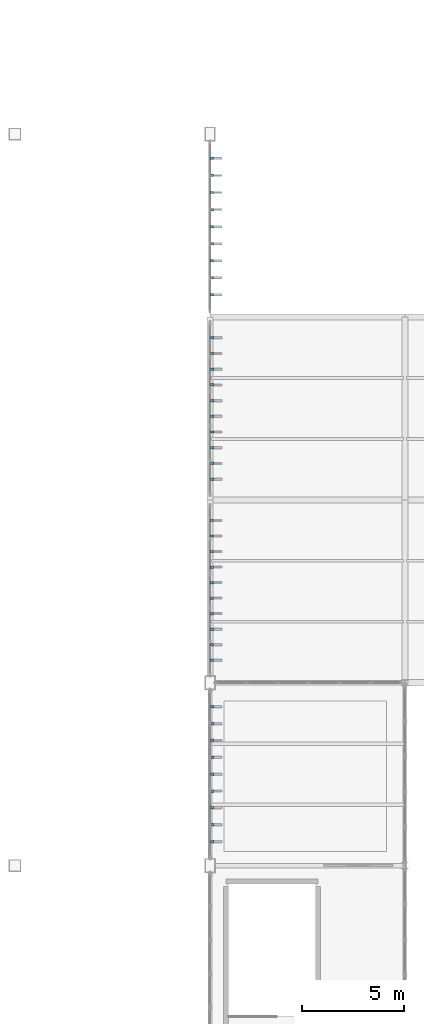
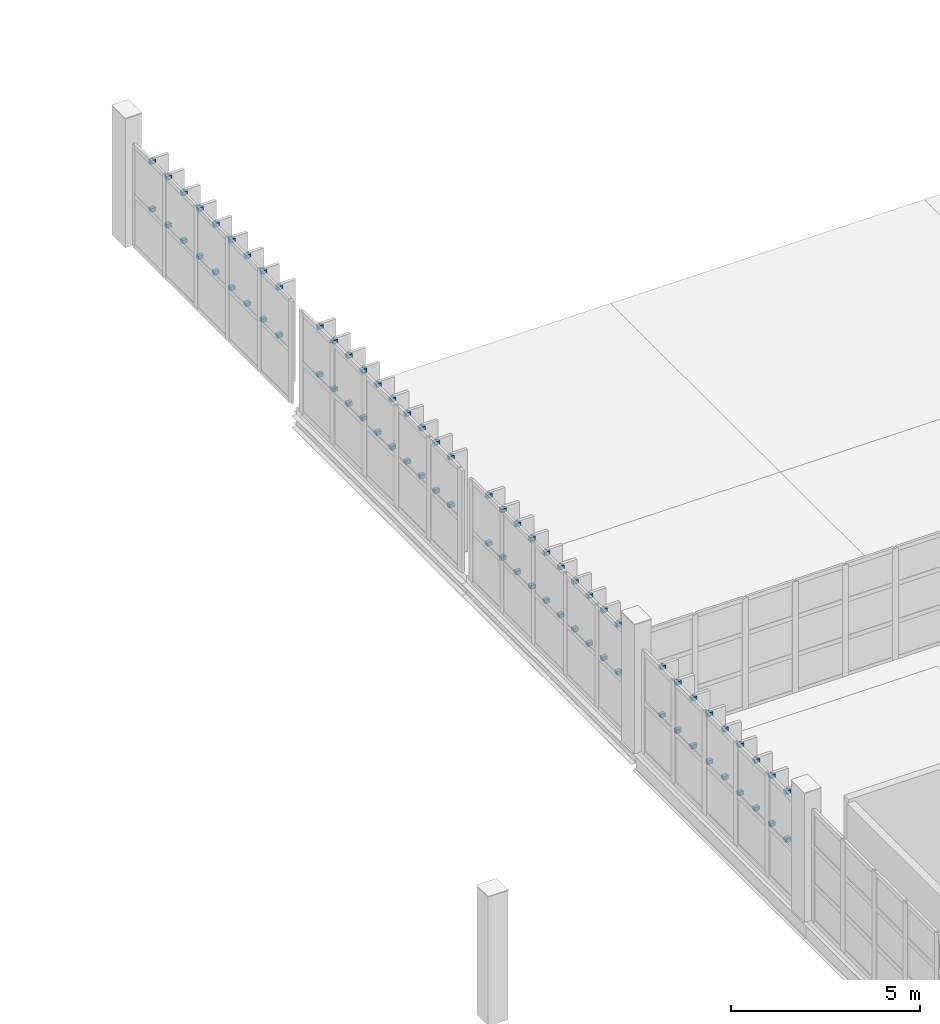
# One storey, part 75 of 82: 76 discrete accessories.
"""IFC4 building model written with IfcOpenShell, lengths in metres."""

from ifc_helpers import new_model, si_unit, direction, frame, origin, origin_2d, place, context, subcontext, project, spatial, rectangle, extrude, material, type_object, element, save


model = new_model("IFC4")

# Units and contexts
model_context = context("Model", 3, precision=1e-05, world=origin(), true_north=direction((0.0, 1.0)))
body_context = subcontext(model_context, "Body", "Model", "MODEL_VIEW")
ifc_project = project(units=[si_unit("LENGTHUNIT", "METRE"), si_unit("AREAUNIT", "SQUARE_METRE"), si_unit("VOLUMEUNIT", "CUBIC_METRE"), si_unit("PLANEANGLEUNIT", "RADIAN"), si_unit("MASSUNIT", "GRAM", prefix="KILO")], contexts=[model_context])

# Site, building, storey
site_placement = place(None, origin())
site = spatial("IfcSite", under=ifc_project, at=site_placement, CompositionType="ELEMENT")
building_placement = place(site_placement, origin())
building = spatial("IfcBuilding", under=site, at=building_placement, Name="Zarnetskaya Central Station", CompositionType="ELEMENT")
storey_placement = place(building_placement, frame((0.0, 0.0, 10.199951171875)))
storey = spatial("IfcBuildingStorey", under=building, at=storey_placement, Name="L02", CompositionType="ELEMENT", Elevation=10.199951171875)

# Discrete accessories
ifc_material = material(Name="Steel S355", Category="steel")
discrete_accessory_type = type_object("IfcDiscreteAccessoryType", Name="ACC-FIN-BRACKET", PredefinedType="BRACKET", material=ifc_material)
for number, where, z_axis, x_axis, name in (
    (1, (124.909912109375, 30.02001953125, 1.590087890625), (0.0, 0.0, 1.0), (0.0, -1.0, 0.0), "Timber blade lower fixing bracket CW-L02-090-01"),
    (2, (124.909912109375, 30.02001953125, 3.139892578125), (0.0, 0.0, 1.0), (0.0, -1.0, 0.0), "Timber blade upper fixing bracket CW-L02-090-01"),
    (3, (124.909912109375, 29.18994140625, 1.590087890625), (0.0, 0.0, 1.0), (0.0, -1.0, 0.0), "Timber blade lower fixing bracket CW-L02-090-02"),
    (4, (124.909912109375, 29.18994140625, 3.139892578125), (0.0, 0.0, 1.0), (0.0, -1.0, 0.0), "Timber blade upper fixing bracket CW-L02-090-02"),
    (5, (124.909912109375, 28.360107421875, 1.590087890625), (0.0, 0.0, 1.0), (0.0, -1.0, 0.0), "Timber blade lower fixing bracket CW-L02-090-03"),
    (6, (124.909912109375, 28.360107421875, 3.139892578125), (0.0, 0.0, 1.0), (0.0, -1.0, 0.0), "Timber blade upper fixing bracket CW-L02-090-03"),
    (7, (124.909912109375, 27.530029296875, 1.590087890625), (0.0, 0.0, 1.0), (0.0, -1.0, 0.0), "Timber blade lower fixing bracket CW-L02-090-04"),
    (8, (124.909912109375, 27.530029296875, 3.139892578125), (0.0, 0.0, 1.0), (0.0, -1.0, 0.0), "Timber blade upper fixing bracket CW-L02-090-04"),
    (9, (124.909912109375, 26.699951171875, 1.590087890625), (0.0, 0.0, 1.0), (0.0, -1.0, 0.0), "Timber blade lower fixing bracket CW-L02-090-05"),
    (10, (124.909912109375, 26.699951171875, 3.139892578125), (0.0, 0.0, 1.0), (0.0, -1.0, 0.0), "Timber blade upper fixing bracket CW-L02-090-05"),
    (11, (124.909912109375, 25.8701171875, 1.590087890625), (0.0, 0.0, 1.0), (0.0, -1.0, 0.0), "Timber blade lower fixing bracket CW-L02-090-06"),
    (12, (124.909912109375, 25.8701171875, 3.139892578125), (0.0, 0.0, 1.0), (0.0, -1.0, 0.0), "Timber blade upper fixing bracket CW-L02-090-06"),
    (13, (124.909912109375, 25.0400390625, 1.590087890625), (0.0, 0.0, 1.0), (0.0, -1.0, 0.0), "Timber blade lower fixing bracket CW-L02-090-07"),
    (14, (124.909912109375, 25.0400390625, 3.139892578125), (0.0, 0.0, 1.0), (0.0, -1.0, 0.0), "Timber blade upper fixing bracket CW-L02-090-07"),
    (15, (124.909912109375, 24.2099609375, 1.590087890625), (0.0, 0.0, 1.0), (0.0, -1.0, 0.0), "Timber blade lower fixing bracket CW-L02-090-08"),
    (16, (124.909912109375, 24.2099609375, 3.139892578125), (0.0, 0.0, 1.0), (0.0, -1.0, 0.0), "Timber blade upper fixing bracket CW-L02-090-08"),
    (17, (124.909912109375, 23.3798828125, 1.590087890625), (0.0, 0.0, 1.0), (0.0, -1.0, 0.0), "Timber blade lower fixing bracket CW-L02-090-09"),
    (18, (124.909912109375, 23.3798828125, 3.139892578125), (0.0, 0.0, 1.0), (0.0, -1.0, 0.0), "Timber blade upper fixing bracket CW-L02-090-09"),
    (19, (124.889892578125, 39.186279296875, 1.590087890625), (0.0, 0.0, 1.0), (0.0, -1.0, 0.0), "Timber blade lower fixing bracket CW-L02-093-01"),
    (20, (124.889892578125, 39.186279296875, 3.139892578125), (0.0, 0.0, 1.0), (0.0, -1.0, 0.0), "Timber blade upper fixing bracket CW-L02-093-01"),
    (21, (124.889892578125, 38.422607421875, 1.590087890625), (0.0, 0.0, 1.0), (0.0, -1.0, 0.0), "Timber blade lower fixing bracket CW-L02-093-02"),
    (22, (124.889892578125, 38.422607421875, 3.139892578125), (0.0, 0.0, 1.0), (0.0, -1.0, 0.0), "Timber blade upper fixing bracket CW-L02-093-02"),
    (23, (124.889892578125, 37.6591796875, 1.590087890625), (0.0, 0.0, 1.0), (0.0, -1.0, 0.0), "Timber blade lower fixing bracket CW-L02-093-03"),
    (24, (124.889892578125, 37.6591796875, 3.139892578125), (0.0, 0.0, 1.0), (0.0, -1.0, 0.0), "Timber blade upper fixing bracket CW-L02-093-03"),
    (25, (124.889892578125, 36.8955078125, 1.590087890625), (0.0, 0.0, 1.0), (0.0, -1.0, 0.0), "Timber blade lower fixing bracket CW-L02-093-04"),
    (26, (124.889892578125, 36.8955078125, 3.139892578125), (0.0, 0.0, 1.0), (0.0, -1.0, 0.0), "Timber blade upper fixing bracket CW-L02-093-04"),
    (27, (124.889892578125, 36.1318359375, 1.590087890625), (0.0, 0.0, 1.0), (0.0, -1.0, 0.0), "Timber blade lower fixing bracket CW-L02-093-05"),
    (28, (124.889892578125, 36.1318359375, 3.139892578125), (0.0, 0.0, 1.0), (0.0, -1.0, 0.0), "Timber blade upper fixing bracket CW-L02-093-05"),
    (29, (124.889892578125, 35.3681640625, 1.590087890625), (0.0, 0.0, 1.0), (0.0, -1.0, 0.0), "Timber blade lower fixing bracket CW-L02-093-06"),
    (30, (124.889892578125, 35.3681640625, 3.139892578125), (0.0, 0.0, 1.0), (0.0, -1.0, 0.0), "Timber blade upper fixing bracket CW-L02-093-06"),
    (31, (124.889892578125, 34.6044921875, 1.590087890625), (0.0, 0.0, 1.0), (0.0, -1.0, 0.0), "Timber blade lower fixing bracket CW-L02-093-07"),
    (32, (124.889892578125, 34.6044921875, 3.139892578125), (0.0, 0.0, 1.0), (0.0, -1.0, 0.0), "Timber blade upper fixing bracket CW-L02-093-07"),
    (33, (124.889892578125, 33.8408203125, 1.590087890625), (0.0, 0.0, 1.0), (0.0, -1.0, 0.0), "Timber blade lower fixing bracket CW-L02-093-08"),
    (34, (124.889892578125, 33.8408203125, 3.139892578125), (0.0, 0.0, 1.0), (0.0, -1.0, 0.0), "Timber blade upper fixing bracket CW-L02-093-08"),
    (35, (124.889892578125, 33.077392578125, 1.590087890625), (0.0, 0.0, 1.0), (0.0, -1.0, 0.0), "Timber blade lower fixing bracket CW-L02-093-09"),
    (36, (124.889892578125, 33.077392578125, 3.139892578125), (0.0, 0.0, 1.0), (0.0, -1.0, 0.0), "Timber blade upper fixing bracket CW-L02-093-09"),
    (37, (124.889892578125, 32.313720703125, 1.590087890625), (0.0, 0.0, 1.0), (0.0, -1.0, 0.0), "Timber blade lower fixing bracket CW-L02-093-10"),
    (38, (124.889892578125, 32.313720703125, 3.139892578125), (0.0, 0.0, 1.0), (0.0, -1.0, 0.0), "Timber blade upper fixing bracket CW-L02-093-10"),
    (39, (124.909912109375, 48.17724609375, 1.590087890625), (0.0, 0.0, 1.0), (0.0, -1.0, 0.0), "Timber blade lower fixing bracket CW-L02-096-01"),
    (40, (124.909912109375, 48.17724609375, 3.139892578125), (0.0, 0.0, 1.0), (0.0, -1.0, 0.0), "Timber blade upper fixing bracket CW-L02-096-01"),
    (41, (124.909912109375, 47.404541015625, 1.590087890625), (0.0, 0.0, 1.0), (0.0, -1.0, 0.0), "Timber blade lower fixing bracket CW-L02-096-02"),
    (42, (124.909912109375, 47.404541015625, 3.139892578125), (0.0, 0.0, 1.0), (0.0, -1.0, 0.0), "Timber blade upper fixing bracket CW-L02-096-02"),
    (43, (124.909912109375, 46.6318359375, 1.590087890625), (0.0, 0.0, 1.0), (0.0, -1.0, 0.0), "Timber blade lower fixing bracket CW-L02-096-03"),
    (44, (124.909912109375, 46.6318359375, 3.139892578125), (0.0, 0.0, 1.0), (0.0, -1.0, 0.0), "Timber blade upper fixing bracket CW-L02-096-03"),
    (45, (124.909912109375, 45.859130859375, 1.590087890625), (0.0, 0.0, 1.0), (0.0, -1.0, 0.0), "Timber blade lower fixing bracket CW-L02-096-04"),
    (46, (124.909912109375, 45.859130859375, 3.139892578125), (0.0, 0.0, 1.0), (0.0, -1.0, 0.0), "Timber blade upper fixing bracket CW-L02-096-04"),
    (47, (124.909912109375, 45.08642578125, 1.590087890625), (0.0, 0.0, 1.0), (0.0, -1.0, 0.0), "Timber blade lower fixing bracket CW-L02-096-05"),
    (48, (124.909912109375, 45.08642578125, 3.139892578125), (0.0, 0.0, 1.0), (0.0, -1.0, 0.0), "Timber blade upper fixing bracket CW-L02-096-05"),
    (49, (124.909912109375, 44.313720703125, 1.590087890625), (0.0, 0.0, 1.0), (0.0, -1.0, 0.0), "Timber blade lower fixing bracket CW-L02-096-06"),
    (50, (124.909912109375, 44.313720703125, 3.139892578125), (0.0, 0.0, 1.0), (0.0, -1.0, 0.0), "Timber blade upper fixing bracket CW-L02-096-06"),
    (51, (124.909912109375, 43.541015625, 1.590087890625), (0.0, 0.0, 1.0), (0.0, -1.0, 0.0), "Timber blade lower fixing bracket CW-L02-096-07"),
    (52, (124.909912109375, 43.541015625, 3.139892578125), (0.0, 0.0, 1.0), (0.0, -1.0, 0.0), "Timber blade upper fixing bracket CW-L02-096-07"),
    (53, (124.909912109375, 42.76806640625, 1.590087890625), (0.0, 0.0, 1.0), (0.0, -1.0, 0.0), "Timber blade lower fixing bracket CW-L02-096-08"),
    (54, (124.909912109375, 42.76806640625, 3.139892578125), (0.0, 0.0, 1.0), (0.0, -1.0, 0.0), "Timber blade upper fixing bracket CW-L02-096-08"),
    (55, (124.909912109375, 41.995361328125, 1.590087890625), (0.0, 0.0, 1.0), (0.0, -1.0, 0.0), "Timber blade lower fixing bracket CW-L02-096-09"),
    (56, (124.909912109375, 41.995361328125, 3.139892578125), (0.0, 0.0, 1.0), (0.0, -1.0, 0.0), "Timber blade upper fixing bracket CW-L02-096-09"),
    (57, (124.909912109375, 41.22265625, 1.590087890625), (0.0, 0.0, 1.0), (0.0, -1.0, 0.0), "Timber blade lower fixing bracket CW-L02-096-10"),
    (58, (124.909912109375, 41.22265625, 3.139892578125), (0.0, 0.0, 1.0), (0.0, -1.0, 0.0), "Timber blade upper fixing bracket CW-L02-096-10"),
    (59, (124.889892578125, 57.010009765625, 1.590087890625), (0.0, 0.0, 1.0), (0.0, -1.0, 0.0), "Timber blade lower fixing bracket CW-L02-099-01"),
    (60, (124.889892578125, 57.010009765625, 3.139892578125), (0.0, 0.0, 1.0), (0.0, -1.0, 0.0), "Timber blade upper fixing bracket CW-L02-099-01"),
    (61, (124.889892578125, 56.169921875, 1.590087890625), (0.0, 0.0, 1.0), (0.0, -1.0, 0.0), "Timber blade lower fixing bracket CW-L02-099-02"),
    (62, (124.889892578125, 56.169921875, 3.139892578125), (0.0, 0.0, 1.0), (0.0, -1.0, 0.0), "Timber blade upper fixing bracket CW-L02-099-02"),
    (63, (124.889892578125, 55.330078125, 1.590087890625), (0.0, 0.0, 1.0), (0.0, -1.0, 0.0), "Timber blade lower fixing bracket CW-L02-099-03"),
    (64, (124.889892578125, 55.330078125, 3.139892578125), (0.0, 0.0, 1.0), (0.0, -1.0, 0.0), "Timber blade upper fixing bracket CW-L02-099-03"),
    (65, (124.889892578125, 54.489990234375, 1.590087890625), (0.0, 0.0, 1.0), (0.0, -1.0, 0.0), "Timber blade lower fixing bracket CW-L02-099-04"),
    (66, (124.889892578125, 54.489990234375, 3.139892578125), (0.0, 0.0, 1.0), (0.0, -1.0, 0.0), "Timber blade upper fixing bracket CW-L02-099-04"),
    (67, (124.889892578125, 53.64990234375, 1.590087890625), (0.0, 0.0, 1.0), (0.0, -1.0, 0.0), "Timber blade lower fixing bracket CW-L02-099-05"),
    (68, (124.889892578125, 53.64990234375, 3.139892578125), (0.0, 0.0, 1.0), (0.0, -1.0, 0.0), "Timber blade upper fixing bracket CW-L02-099-05"),
    (69, (124.889892578125, 52.81005859375, 1.590087890625), (0.0, 0.0, 1.0), (0.0, -1.0, 0.0), "Timber blade lower fixing bracket CW-L02-099-06"),
    (70, (124.889892578125, 52.81005859375, 3.139892578125), (0.0, 0.0, 1.0), (0.0, -1.0, 0.0), "Timber blade upper fixing bracket CW-L02-099-06"),
    (71, (124.889892578125, 51.969970703125, 1.590087890625), (0.0, 0.0, 1.0), (0.0, -1.0, 0.0), "Timber blade lower fixing bracket CW-L02-099-07"),
    (72, (124.889892578125, 51.969970703125, 3.139892578125), (0.0, 0.0, 1.0), (0.0, -1.0, 0.0), "Timber blade upper fixing bracket CW-L02-099-07"),
    (73, (124.889892578125, 51.1298828125, 1.590087890625), (0.0, 0.0, 1.0), (0.0, -1.0, 0.0), "Timber blade lower fixing bracket CW-L02-099-08"),
    (74, (124.889892578125, 51.1298828125, 3.139892578125), (0.0, 0.0, 1.0), (0.0, -1.0, 0.0), "Timber blade upper fixing bracket CW-L02-099-08"),
    (75, (124.889892578125, 50.2900390625, 1.590087890625), (0.0, 0.0, 1.0), (0.0, -1.0, 0.0), "Timber blade lower fixing bracket CW-L02-099-09"),
    (76, (124.889892578125, 50.2900390625, 3.139892578125), (0.0, 0.0, 1.0), (0.0, -1.0, 0.0), "Timber blade upper fixing bracket CW-L02-099-09"),
):
    element("IfcDiscreteAccessory", number, at=place(storey_placement, frame(where, z_axis=z_axis, x_axis=x_axis)), inside=storey, type_object=discrete_accessory_type, Name=name, PredefinedType="BRACKET", context=body_context, shape_type="SweptSolid", body=[
        extrude(rectangle(XDim=0.1201171875, YDim=0.159912109375, at=origin_2d()), origin(), (0.0, 0.0, 1.0), 0.1201171875),
    ])

save(model, "model.ifc")
